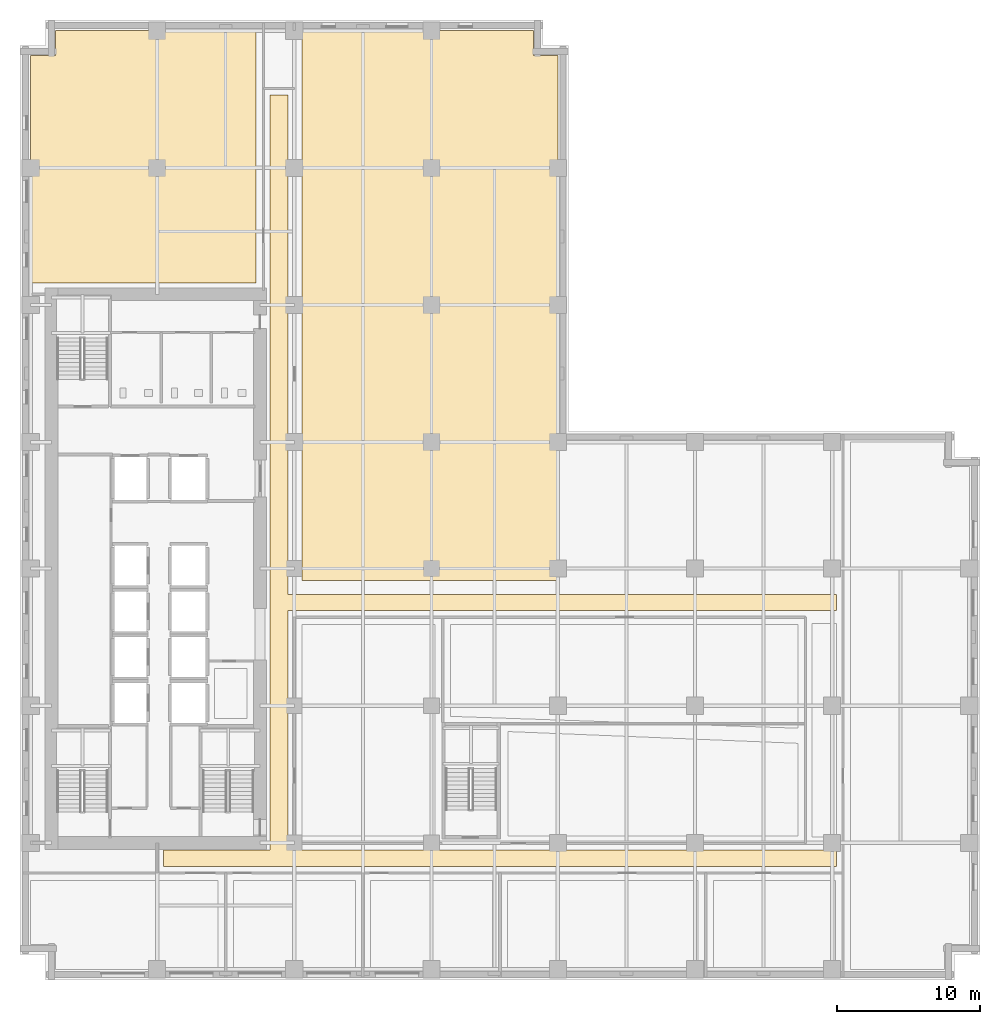
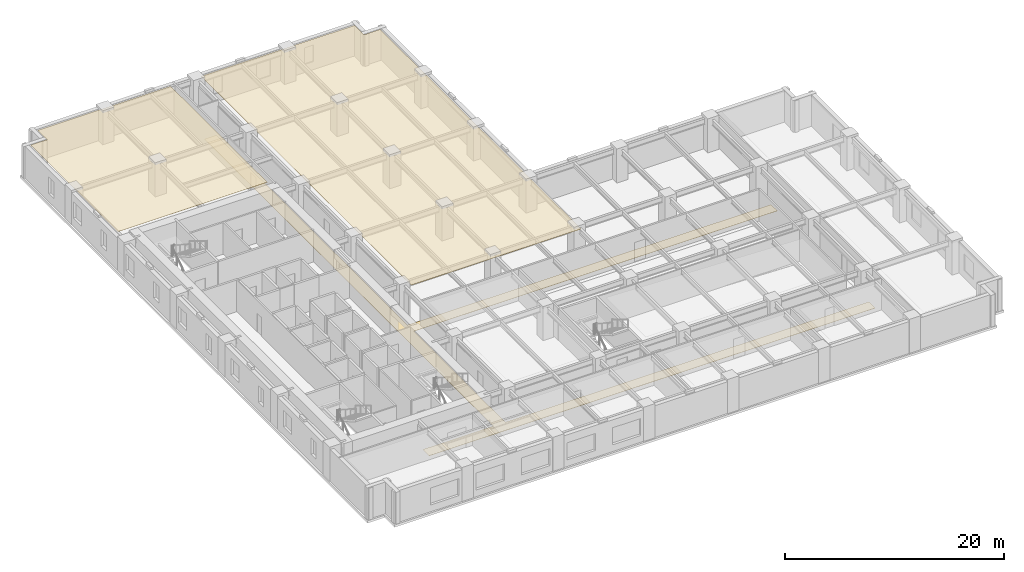
# One storey, part 12 of 13: 3 coverings.
"""IFC4 building model written with IfcOpenShell, lengths in metres."""

from ifc_helpers import new_model, si_unit, direction, frame, origin, place, context, subcontext, project, spatial, polyline, outline, extrude, material, layer, layer_set, type_object, element, save


model = new_model("IFC4")

# Units and contexts
model_context = context("Model", 3, precision=1e-05, world=origin(), true_north=direction((0.0, 1.0)))
body_context = subcontext(model_context, "Body", "Model", "MODEL_VIEW")
ifc_project = project(units=[si_unit("LENGTHUNIT", "METRE"), si_unit("AREAUNIT", "SQUARE_METRE"), si_unit("VOLUMEUNIT", "CUBIC_METRE"), si_unit("PLANEANGLEUNIT", "RADIAN"), si_unit("MASSUNIT", "GRAM", prefix="KILO")], contexts=[model_context])

# Site, building, storey
site_placement = place(None, origin())
site = spatial("IfcSite", under=ifc_project, at=site_placement, CompositionType="ELEMENT")
building_placement = place(site_placement, origin())
building = spatial("IfcBuilding", under=site, at=building_placement, Name="Norrvale University Quadrangle", CompositionType="ELEMENT")
storey_placement = place(building_placement, frame((0.0, 0.0, 31.800048828125)))
storey = spatial("IfcBuildingStorey", under=building, at=storey_placement, Name="L07", CompositionType="ELEMENT", Elevation=31.800048828125)

# Coverings
ifc_material_1 = material(Name="Perforated Acoustic Mineral Ceiling")
ifc_layer_1 = layer(ifc_material_1, 0.02490234375, Name="Perforated Acoustic Mineral Ceiling")
ifc_layer_set_1 = layer_set([ifc_layer_1], Name="Perforated Acoustic Mineral Ceiling")
covering_type_1 = type_object("IfcCoveringType", Name="Covering Acoustic Ceiling 25", PredefinedType="CEILING", material=ifc_layer_set_1)
covering_1_placement = place(storey_placement, frame((0.0, 0.0, 3.514892578125)))
element("IfcCovering", 1, at=covering_1_placement, inside=storey, type_object=covering_type_1, Name="Acoustic Ceiling RM-L07-NE01", PredefinedType="CEILING", context=body_context, shape_type="SweptSolid", body=[
    extrude(outline(polyline([(37.64990234375, 27.97998046875), (19.72998046875, 27.97998046875), (19.72998046875, 66.449951171875), (35.929931640625, 66.449951171875), (35.929931640625, 64.72998046875), (37.64990234375, 64.72998046875), (37.64990234375, 27.97998046875)])), origin(), (0.0, 0.0, 1.0), 0.025146484375),
])
covering_2_placement = place(storey_placement, frame((0.0, 0.0, 3.514892578125)))
element("IfcCovering", 2, at=covering_2_placement, inside=storey, type_object=covering_type_1, Name="Acoustic Ceiling RM-L07-NW01", PredefinedType="CEILING", context=body_context, shape_type="SweptSolid", body=[
    extrude(outline(polyline([(16.52001953125, 66.449951171875), (16.52001953125, 48.780029296875), (0.75, 48.780029296875), (0.75, 64.72998046875), (2.469970703125, 64.72998046875), (2.469970703125, 66.449951171875), (16.52001953125, 66.449951171875)])), origin(), (0.0, 0.0, 1.0), 0.025146484375),
])
ifc_material_2 = material(Name="Polished Terrazzo Flooring")
ifc_layer_2 = layer(ifc_material_2, 0.02490234375, Name="Polished Terrazzo Flooring")
ifc_layer_set_2 = layer_set([ifc_layer_2], Name="Polished Terrazzo Flooring")
covering_type_2 = type_object("IfcCoveringType", Name="Covering Terrazzo Floor 30", PredefinedType="FLOORING", material=ifc_layer_set_2)
covering_3_placement = place(storey_placement, origin())
element("IfcCovering", 3, at=covering_3_placement, inside=storey, type_object=covering_type_2, Name="Terrazzo Flooring RM-L07-CORR1", PredefinedType="FLOORING", context=body_context, shape_type="SweptSolid", body=[
    extrude(outline(polyline([(10.050048828125, 7.949951171875), (10.050048828125, 9.10009765625), (17.5, 9.10009765625), (17.5, 61.949951171875), (18.75, 61.949951171875), (18.75, 27.0), (57.14990234375, 27.0), (57.14990234375, 25.85009765625), (18.75, 25.85009765625), (18.75, 9.10009765625), (57.14990234375, 9.10009765625), (57.14990234375, 7.949951171875), (10.050048828125, 7.949951171875)])), origin(), (0.0, 0.0, 1.0), 0.02490234375),
])

save(model, "model.ifc")
